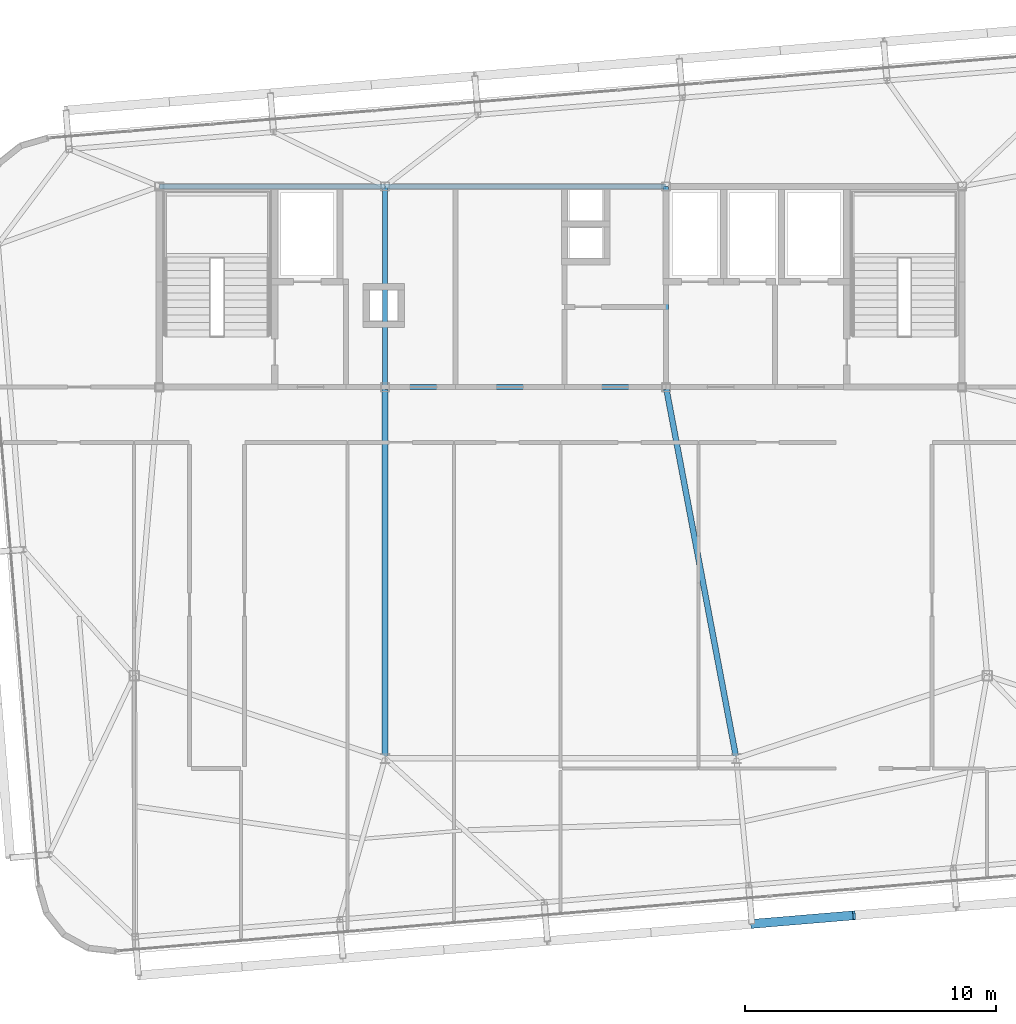
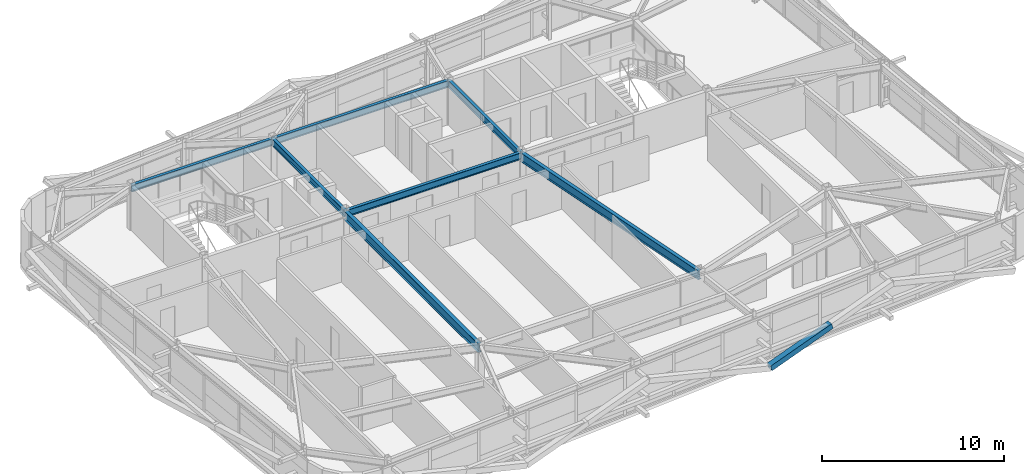
# One storey, part 18 of 46: 7 beams, 1 member.
"""IFC4 building model written with IfcOpenShell, lengths in metres."""

from ifc_helpers import new_model, si_unit, direction, frame, origin, origin_2d, place, context, subcontext, project, spatial, hollow_rectangle, i_section, extrude, source, transform, mapped, material, material_profile, profile_set, type_object, element, save


model = new_model("IFC4")

# Units and contexts
model_context = context("Model", 3, precision=1e-05, world=origin(), true_north=direction((0.0, 1.0)))
body_context = subcontext(model_context, "Body", "Model", "MODEL_VIEW")
ifc_project = project(units=[si_unit("LENGTHUNIT", "METRE"), si_unit("AREAUNIT", "SQUARE_METRE"), si_unit("VOLUMEUNIT", "CUBIC_METRE"), si_unit("PLANEANGLEUNIT", "RADIAN"), si_unit("MASSUNIT", "GRAM", prefix="KILO")], contexts=[model_context])

# Site, building, storey
site_placement = place(None, origin())
site = spatial("IfcSite", under=ifc_project, at=site_placement, CompositionType="ELEMENT")
building_placement = place(site_placement, origin())
building = spatial("IfcBuilding", under=site, at=building_placement, Name="Taldren Reach Tower", CompositionType="ELEMENT")
storey_placement = place(building_placement, frame((0.0, 0.0, 194.60009765625)))
storey = spatial("IfcBuildingStorey", under=building, at=storey_placement, Name="L59", CompositionType="ELEMENT", Elevation=194.60009765625)

# Beams
ifc_material_1 = material(Name="Steel Gr 350 (350PLUS)", Category="steel")
ifc_material_profile_1 = material_profile(ifc_material_1, i_section(OverallWidth=0.19091796875, OverallDepth=0.4599609375, WebThickness=0.010009765625, FlangeThickness=0.01611328125, at=origin_2d()), Name="460UB82.1")
ifc_profile_set_1 = profile_set([ifc_material_profile_1], Name="Steel Gr 350 (350PLUS)")
beam_type_1 = type_object("IfcBeamType", Name="BM-UB460A", PredefinedType="BEAM", material=ifc_profile_set_1)
shared_shape_1 = source(origin(), body_context, "Body", "SweptSolid", [
    extrude(i_section(OverallWidth=0.19091796875, OverallDepth=0.4599609375, WebThickness=0.010009765625, FlangeThickness=0.01611328125, at=origin_2d()), origin(), (0.0, 0.0, 1.0), 9.0),
])
beam_1_placement = place(storey_placement, frame((19.0, 32.0, 2.699951171875), z_axis=(1.0, 0.0, 0.0), x_axis=(0.0, 1.0, 0.0)))
element("IfcBeam", 1, at=beam_1_placement, inside=storey, type_object=beam_type_1, Name="Core-spine girder L59-SP04", PredefinedType="BEAM", context=body_context, shape_type="MappedRepresentation", body=[
    mapped(shared_shape_1, transform((0.0, 0.0, 0.0), scale=1.0)),
])
shared_shape_2 = source(origin(), body_context, "Body", "SweptSolid", [
    extrude(i_section(OverallWidth=0.19091796875, OverallDepth=0.4599609375, WebThickness=0.010009765625, FlangeThickness=0.01611328125, at=origin_2d()), origin(), (0.0, 0.0, 1.0), 11.199951171875),
])
for number, where, z_axis, x_axis, name in (
    (2, (28.0, 24.0, 2.699951171875), (1.0, 0.0, 0.0), (0.0, 1.0, 0.0), "Core-spine girder L59-SP02"),
    (3, (28.0, 32.0, 2.699951171875), (1.0, 0.0, 0.0), (0.0, 1.0, 0.0), "Core-spine girder L59-SP05"),
):
    element("IfcBeam", number, at=place(storey_placement, frame(where, z_axis=z_axis, x_axis=x_axis)), inside=storey, type_object=beam_type_1, Name=name, PredefinedType="BEAM", context=body_context, shape_type="MappedRepresentation", body=[
        mapped(shared_shape_2, transform((0.0, 0.0, 0.0), scale=1.0)),
    ])
shared_shape_3 = source(origin(), body_context, "Body", "SweptSolid", [
    extrude(i_section(OverallWidth=0.19091796875, OverallDepth=0.4599609375, WebThickness=0.010009765625, FlangeThickness=0.01611328125, at=origin_2d()), origin(), (0.0, 0.0, 1.0), 8.0),
])
for number, where, z_axis, x_axis, name in (
    (4, (28.0, 24.0, 2.699951171875), (0.0, 1.0, 0.0), (-1.0, 0.0, 0.0), "Core-spine girder L59-SP07"),
    (5, (39.199951171875, 24.0, 2.699951171875), (0.0, 1.0, 0.0), (-1.0, 0.0, 0.0), "Core-spine girder L59-SP08"),
):
    element("IfcBeam", number, at=place(storey_placement, frame(where, z_axis=z_axis, x_axis=x_axis)), inside=storey, type_object=beam_type_1, Name=name, PredefinedType="BEAM", context=body_context, shape_type="MappedRepresentation", body=[
        mapped(shared_shape_3, transform((0.0, 0.0, 0.0), scale=1.0)),
    ])
ifc_material_profile_2 = material_profile(ifc_material_1, i_section(OverallWidth=0.22802734375, OverallDepth=0.60205078125, WebThickness=0.010498046875, FlangeThickness=0.014892578125, at=origin_2d()), Name="610UB101")
ifc_profile_set_2 = profile_set([ifc_material_profile_2], Name="Steel Gr 350 (350PLUS)")
beam_type_2 = type_object("IfcBeamType", Name="BM-UB610B", PredefinedType="BEAM", material=ifc_profile_set_2)
shared_shape_4 = source(origin(), body_context, "Body", "SweptSolid", [
    extrude(i_section(OverallWidth=0.22802734375, OverallDepth=0.60205078125, WebThickness=0.010498046875, FlangeThickness=0.014892578125, at=origin_2d()), origin(), (0.0, 0.0, 1.0), 14.800048828125),
])
beam_2_placement = place(storey_placement, frame((28.0, 24.0, 2.62890625), z_axis=(0.0, -1.0, 0.0), x_axis=(1.0, 0.0, 0.0)))
element("IfcBeam", 6, at=beam_2_placement, inside=storey, type_object=beam_type_2, Name="Core-spine girder L59-SP14", PredefinedType="BEAM", context=body_context, shape_type="MappedRepresentation", body=[
    mapped(shared_shape_4, transform((0.0, 0.0, 0.0), scale=1.0)),
])
shared_shape_5 = source(origin(), body_context, "Body", "SweptSolid", [
    extrude(i_section(OverallWidth=0.22802734375, OverallDepth=0.60205078125, WebThickness=0.010498046875, FlangeThickness=0.014892578125, at=origin_2d()), origin(), (0.0, 0.0, 1.0), 15.0625),
])
beam_3_placement = place(storey_placement, frame((39.199951171875, 24.0, 2.62890625), z_axis=(0.185894205668, -0.982569765614, 0.0), x_axis=(0.982569765614, 0.185894205668, 0.0)))
element("IfcBeam", 7, at=beam_3_placement, inside=storey, type_object=beam_type_2, Name="Core-spine girder L59-SP15", PredefinedType="BEAM", context=body_context, shape_type="MappedRepresentation", body=[
    mapped(shared_shape_5, transform((0.0, 0.0, 0.0), scale=1.0)),
])

# Member
ifc_material_2 = material(Name="Steel Gr 450 (C450L0)", Category="steel")
ifc_material_profile_3 = material_profile(ifc_material_2, hollow_rectangle(XDim=0.360107421875, YDim=0.360107421875, WallThickness=0.0126953125, at=origin_2d()), Name="360x360x12.7SHS")
ifc_profile_set_3 = profile_set([ifc_material_profile_3], Name="Steel Gr 450 (C450L0)")
member_type = type_object("IfcMemberType", Name="MB-EXO356", PredefinedType="BRACE", material=ifc_profile_set_3)
shared_shape_6 = source(origin(), body_context, "Body", "SweptSolid", [
    extrude(hollow_rectangle(XDim=0.360107421875, YDim=0.360107421875, WallThickness=0.0126953125, at=origin_2d()), origin(), (0.0, 0.0, 1.0), 4.2666015625),
])
member_placement = place(storey_placement, frame((42.623291015625, 2.60302734375, 0.219970703125), z_axis=(0.955249107127, 0.080166766448, 0.284732212595), x_axis=(-0.083628388178, 0.996497010879, 0.0)))
element("IfcMember", 8, at=member_placement, inside=storey, type_object=member_type, Name="Exoskeleton Diagrid Brace B4-S4 L59", PredefinedType="BRACE", context=body_context, shape_type="MappedRepresentation", body=[
    mapped(shared_shape_6, transform((0.0, 0.0, 0.0), scale=1.0)),
])

save(model, "model.ifc")
